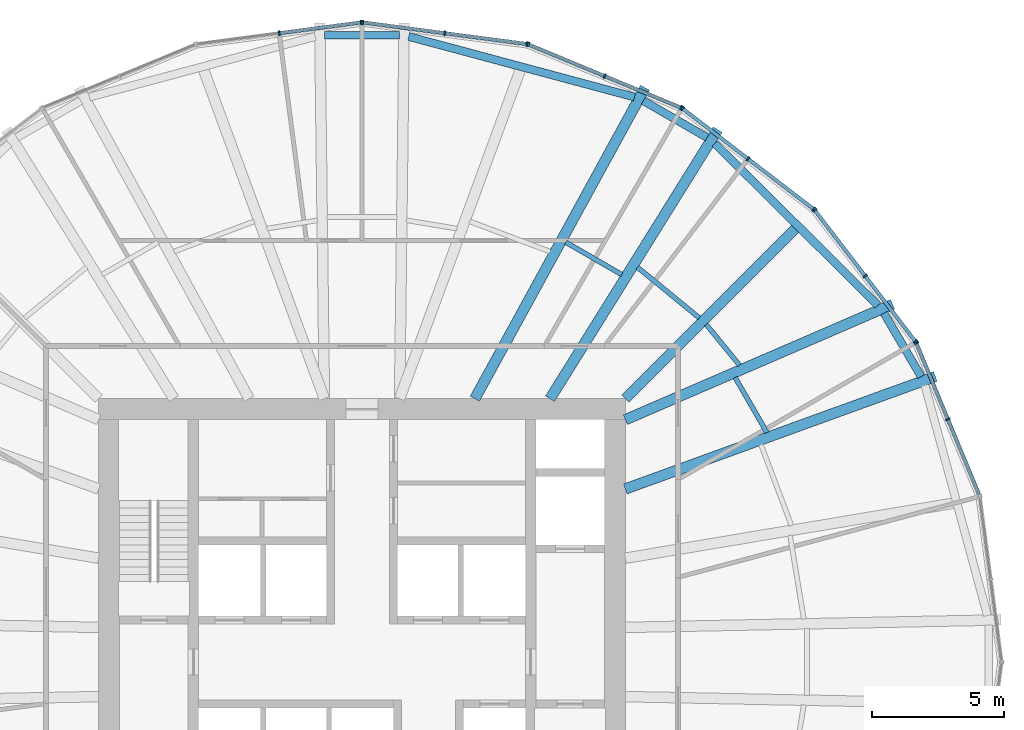
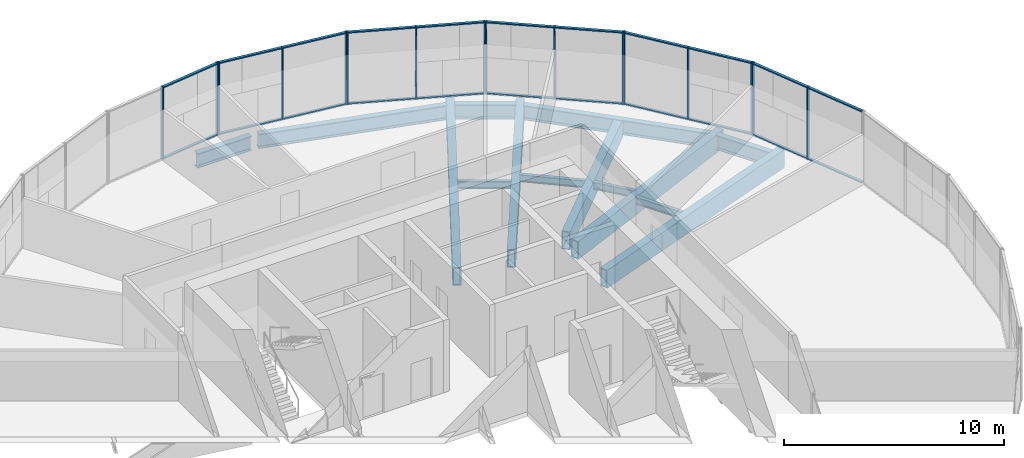
# One storey, part 7 of 13: 38 members, 14 beams, 6 elements without a shape of their own.
"""IFC4 building model written with IfcOpenShell, lengths in metres."""

from ifc_helpers import new_model, si_unit, direction, frame, origin, origin_2d, place, context, subcontext, project, spatial, rectangle, hollow_rectangle, i_section, extrude, material, material_profile, profile_set, type_object, element, aggregate, save


model = new_model("IFC4")

# Units and contexts
model_context = context("Model", 3, precision=1e-05, world=origin(), true_north=direction((0.0, 1.0)))
body_context = subcontext(model_context, "Body", "Model", "MODEL_VIEW")
ifc_project = project(units=[si_unit("LENGTHUNIT", "METRE"), si_unit("AREAUNIT", "SQUARE_METRE"), si_unit("VOLUMEUNIT", "CUBIC_METRE"), si_unit("PLANEANGLEUNIT", "RADIAN"), si_unit("MASSUNIT", "GRAM", prefix="KILO")], contexts=[model_context])

# Site, building, storey
site_placement = place(None, origin())
site = spatial("IfcSite", under=ifc_project, at=site_placement, CompositionType="ELEMENT")
building_placement = place(site_placement, origin())
building = spatial("IfcBuilding", under=site, at=building_placement, Name="Golbaran Civic Tower", CompositionType="ELEMENT")
storey_placement = place(building_placement, frame((0.0, 0.0, 81.0)))
storey = spatial("IfcBuildingStorey", under=building, at=storey_placement, Name="L19", CompositionType="ELEMENT", Elevation=81.0)

# Beams
ifc_material_1 = material(Name="Steel S355", Category="steel")
ifc_material_profile_1 = material_profile(ifc_material_1, i_section(OverallWidth=0.300048828125, OverallDepth=0.800048828125, WebThickness=0.017578125, FlangeThickness=0.032958984375, FilletRadius=0.030029296875, at=origin_2d()), Name="HEB 800")
ifc_profile_set_1 = profile_set([ifc_material_profile_1], Name="Steel S355")
beam_type_1 = type_object("IfcBeamType", Name="EDGE BEAM HEB 800", PredefinedType="BEAM", material=ifc_profile_set_1)
beam_1_placement = place(storey_placement, frame((21.234619140625, 10.838623046875, -0.60009765625), z_axis=(-0.505995527103, 0.862536101593, 0.0), x_axis=(-0.862536101593, -0.505995527103, 0.0)))
element("IfcBeam", 1, at=beam_1_placement, inside=storey, type_object=beam_type_1, Name="Edge beam 26.30 L19", PredefinedType="BEAM", context=body_context, shape_type="SweptSolid", body=[
    extrude(i_section(OverallWidth=0.300048828125, OverallDepth=0.800048828125, WebThickness=0.017578125, FlangeThickness=0.032958984375, FilletRadius=0.030029296875, at=origin_2d()), origin(), (0.0, 0.0, 1.0), 2.791748046875),
])
beam_2_placement = place(storey_placement, frame((19.5927734375, 13.53955078125, -0.60009765625), z_axis=(-0.70960352002, 0.704601195269, 0.0), x_axis=(-0.704601195269, -0.70960352002, 0.0)))
element("IfcBeam", 2, at=beam_2_placement, inside=storey, type_object=beam_type_1, Name="Edge beam 33.70 L19", PredefinedType="BEAM", context=body_context, shape_type="SweptSolid", body=[
    extrude(i_section(OverallWidth=0.300048828125, OverallDepth=0.800048828125, WebThickness=0.017578125, FlangeThickness=0.032958984375, FilletRadius=0.030029296875, at=origin_2d()), origin(), (0.0, 0.0, 1.0), 8.736083984375),
])
beam_3_placement = place(storey_placement, frame((13.1064453125, 19.9150390625, -0.60009765625), z_axis=(-0.866130378223, 0.499818134844, 0.0), x_axis=(-0.499818134844, -0.866130378223, 0.0)))
element("IfcBeam", 3, at=beam_3_placement, inside=storey, type_object=beam_type_1, Name="Edge beam 56.30 L19", PredefinedType="BEAM", context=body_context, shape_type="SweptSolid", body=[
    extrude(i_section(OverallWidth=0.300048828125, OverallDepth=0.800048828125, WebThickness=0.017578125, FlangeThickness=0.032958984375, FilletRadius=0.030029296875, at=origin_2d()), origin(), (0.0, 0.0, 1.0), 2.7978515625),
])
beam_4_placement = place(storey_placement, frame((10.34814453125, 21.451416015625, -0.60009765625), z_axis=(-0.965861810463, 0.259057837344, 0.0), x_axis=(-0.259057837344, -0.965861810463, 0.0)))
element("IfcBeam", 4, at=beam_4_placement, inside=storey, type_object=beam_type_1, Name="Edge beam 63.70 L19", PredefinedType="BEAM", context=body_context, shape_type="SweptSolid", body=[
    extrude(i_section(OverallWidth=0.300048828125, OverallDepth=0.800048828125, WebThickness=0.017578125, FlangeThickness=0.032958984375, FilletRadius=0.030029296875, at=origin_2d()), origin(), (0.0, 0.0, 1.0), 8.874755859375),
])
beam_5_placement = place(storey_placement, frame((1.4169921875, 23.798583984375, -0.60009765625), z_axis=(-1.0, 0.0, 0.0), x_axis=(0.0, -1.0, 0.0)))
element("IfcBeam", 5, at=beam_5_placement, inside=storey, type_object=beam_type_1, Name="Edge beam 86.30 L19", PredefinedType="BEAM", context=body_context, shape_type="SweptSolid", body=[
    extrude(i_section(OverallWidth=0.300048828125, OverallDepth=0.800048828125, WebThickness=0.017578125, FlangeThickness=0.032958984375, FilletRadius=0.030029296875, at=origin_2d()), origin(), (0.0, 0.0, 1.0), 2.833984375),
])
ifc_material_profile_2 = material_profile(ifc_material_1, i_section(OverallWidth=0.179931640625, OverallDepth=0.39990234375, WebThickness=0.008544921875, FlangeThickness=0.013427734375, FilletRadius=0.02099609375, at=origin_2d()), Name="IPE 400")
ifc_profile_set_2 = profile_set([ifc_material_profile_2], Name="Steel S355")
beam_type_2 = type_object("IfcBeamType", Name="FLOOR INFILL BEAM IPE 400", PredefinedType="BEAM", material=ifc_profile_set_2)
beam_6_placement = place(storey_placement, frame((15.377197265625, 8.713623046875, -0.39990234375), z_axis=(-0.500031663174, 0.866007122271, 0.0), x_axis=(-0.866007122271, -0.500031663174, 0.0)))
element("IfcBeam", 6, at=beam_6_placement, inside=storey, type_object=beam_type_2, Name="Infill beam 30.00 L19", PredefinedType="BEAM", context=body_context, shape_type="SweptSolid", body=[
    extrude(i_section(OverallWidth=0.179931640625, OverallDepth=0.39990234375, WebThickness=0.008544921875, FlangeThickness=0.013427734375, FilletRadius=0.02099609375, at=origin_2d()), origin(), (0.0, 0.0, 1.0), 2.414794921875),
])
beam_7_placement = place(storey_placement, frame((14.33837890625, 11.27001953125, -0.39990234375), z_axis=(-0.634002188449, 0.77333125182, 0.0), x_axis=(-0.77333125182, -0.634002188449, 0.0)))
element("IfcBeam", 7, at=beam_7_placement, inside=storey, type_object=beam_type_2, Name="Infill beam 39.35 L19", PredefinedType="BEAM", context=body_context, shape_type="SweptSolid", body=[
    extrude(i_section(OverallWidth=0.179931640625, OverallDepth=0.39990234375, WebThickness=0.008544921875, FlangeThickness=0.013427734375, FilletRadius=0.02099609375, at=origin_2d()), origin(), (0.0, 0.0, 1.0), 1.999267578125),
])
beam_8_placement = place(storey_placement, frame((12.810302734375, 13.06494140625, -0.39990234375), z_axis=(-0.773311950951, 0.634025730169, 0.0), x_axis=(-0.634025730169, -0.773311950951, 0.0)))
element("IfcBeam", 8, at=beam_8_placement, inside=storey, type_object=beam_type_2, Name="Infill beam 50.65 L19", PredefinedType="BEAM", context=body_context, shape_type="SweptSolid", body=[
    extrude(i_section(OverallWidth=0.179931640625, OverallDepth=0.39990234375, WebThickness=0.008544921875, FlangeThickness=0.013427734375, FilletRadius=0.02099609375, at=origin_2d()), origin(), (0.0, 0.0, 1.0), 3.035888671875),
])
beam_9_placement = place(storey_placement, frame((9.865478515625, 14.711669921875, -0.39990234375), z_axis=(-0.866029801145, 0.49999238347, 0.0), x_axis=(-0.49999238347, -0.866029801145, 0.0)))
element("IfcBeam", 9, at=beam_9_placement, inside=storey, type_object=beam_type_2, Name="Infill beam 60.00 L19", PredefinedType="BEAM", context=body_context, shape_type="SweptSolid", body=[
    extrude(i_section(OverallWidth=0.179931640625, OverallDepth=0.39990234375, WebThickness=0.008544921875, FlangeThickness=0.013427734375, FilletRadius=0.02099609375, at=origin_2d()), origin(), (0.0, 0.0, 1.0), 2.453125),
])

# Curtain wall, members
ifc_material_2 = material(Name="Aluminium and glass", Category="aluminium")
curtain_wall_type = type_object("IfcCurtainWallType", Name="INNER SKIN CURTAIN WALL", PredefinedType="NOTDEFINED", material=ifc_material_2)
curtain_wall_1_placement = place(storey_placement, origin())
curtain_wall_1 = element("IfcCurtainWall", 10, at=curtain_wall_1_placement, inside=storey, type_object=curtain_wall_type, Name="Inner skin L19 facet 2 CW1", ObjectType="INNER SKIN", PredefinedType="USERDEFINED")
ifc_material_3 = material(Name="Aluminium", Category="aluminium")
ifc_material_profile_3 = material_profile(ifc_material_3, rectangle(XDim=0.179931640625, YDim=0.06494140625, at=origin_2d()), Name="INNER SKIN CURTAIN WALL MULLION")
ifc_profile_set_3 = profile_set([ifc_material_profile_3], Name="Aluminium")
member_type_1 = type_object("IfcMemberType", Name="INNER SKIN CURTAIN WALL MULLION", PredefinedType="MULLION", material=ifc_profile_set_3)
member_1_placement = place(storey_placement, frame((22.2490234375, 9.2158203125, 0.0), z_axis=(0.0, 0.0, 1.0), x_axis=(-0.923879532478, -0.382683432446, 0.0)))
member_1 = element("IfcMember", 11, at=member_1_placement, type_object=member_type_1, Name="CW1 mullion 2", PredefinedType="MULLION", context=body_context, shape_type="SweptSolid", body=[
    extrude(rectangle(XDim=0.179931640625, YDim=0.06494140625, at=origin_2d()), origin(), (0.0, 0.0, 1.0), 4.0),
])
member_2_placement = place(storey_placement, frame((21.048095703125, 12.114990234375, 0.0), z_axis=(0.0, 0.0, 1.0), x_axis=(-0.923879532478, -0.382683432446, 0.0)))
member_2 = element("IfcMember", 12, at=member_2_placement, type_object=member_type_1, Name="CW1 mullion 3", PredefinedType="MULLION", context=body_context, shape_type="SweptSolid", body=[
    extrude(rectangle(XDim=0.179931640625, YDim=0.06494140625, at=origin_2d()), origin(), (0.0, 0.0, 1.0), 4.0),
])

curtain_wall_2_placement = place(storey_placement, origin())
curtain_wall_2 = element("IfcCurtainWall", 13, at=curtain_wall_2_placement, inside=storey, type_object=curtain_wall_type, Name="Inner skin L19 facet 3 CW1", ObjectType="INNER SKIN", PredefinedType="USERDEFINED")
member_3_placement = place(storey_placement, frame((21.015869140625, 12.1708984375, 0.0), z_axis=(0.0, 0.0, 1.0), x_axis=(-0.793353340281, -0.608761429023, 0.0)))
member_3 = element("IfcMember", 14, at=member_3_placement, type_object=member_type_1, Name="CW1 mullion 1", PredefinedType="MULLION", context=body_context, shape_type="SweptSolid", body=[
    extrude(rectangle(XDim=0.179931640625, YDim=0.06494140625, at=origin_2d()), origin(), (0.0, 0.0, 1.0), 4.0),
])
member_4_placement = place(storey_placement, frame((19.105712890625, 14.660400390625, 0.0), z_axis=(0.0, 0.0, 1.0), x_axis=(-0.793353340281, -0.608761429023, 0.0)))
member_4 = element("IfcMember", 15, at=member_4_placement, type_object=member_type_1, Name="CW1 mullion 2", PredefinedType="MULLION", context=body_context, shape_type="SweptSolid", body=[
    extrude(rectangle(XDim=0.179931640625, YDim=0.06494140625, at=origin_2d()), origin(), (0.0, 0.0, 1.0), 4.0),
])
member_5_placement = place(storey_placement, frame((17.1953125, 17.14990234375, 0.0), z_axis=(0.0, 0.0, 1.0), x_axis=(-0.793353340281, -0.608761429023, 0.0)))
member_5 = element("IfcMember", 16, at=member_5_placement, type_object=member_type_1, Name="CW1 mullion 3", PredefinedType="MULLION", context=body_context, shape_type="SweptSolid", body=[
    extrude(rectangle(XDim=0.179931640625, YDim=0.06494140625, at=origin_2d()), origin(), (0.0, 0.0, 1.0), 4.0),
])

curtain_wall_3_placement = place(storey_placement, origin())
curtain_wall_3 = element("IfcCurtainWall", 17, at=curtain_wall_3_placement, inside=storey, type_object=curtain_wall_type, Name="Inner skin L19 facet 4 CW1", ObjectType="INNER SKIN", PredefinedType="USERDEFINED")
member_6_placement = place(storey_placement, frame((17.14990234375, 17.1953125, 0.0), z_axis=(0.0, 0.0, 1.0), x_axis=(-0.608761429023, -0.793353340281, 0.0)))
member_6 = element("IfcMember", 18, at=member_6_placement, type_object=member_type_1, Name="CW1 mullion 1", PredefinedType="MULLION", context=body_context, shape_type="SweptSolid", body=[
    extrude(rectangle(XDim=0.179931640625, YDim=0.06494140625, at=origin_2d()), origin(), (0.0, 0.0, 1.0), 4.0),
])
member_7_placement = place(storey_placement, frame((14.660400390625, 19.105712890625, 0.0), z_axis=(0.0, 0.0, 1.0), x_axis=(-0.608761429023, -0.793353340281, 0.0)))
member_7 = element("IfcMember", 19, at=member_7_placement, type_object=member_type_1, Name="CW1 mullion 2", PredefinedType="MULLION", context=body_context, shape_type="SweptSolid", body=[
    extrude(rectangle(XDim=0.179931640625, YDim=0.06494140625, at=origin_2d()), origin(), (0.0, 0.0, 1.0), 4.0),
])
member_8_placement = place(storey_placement, frame((12.1708984375, 21.015869140625, 0.0), z_axis=(0.0, 0.0, 1.0), x_axis=(-0.608761429023, -0.793353340281, 0.0)))
member_8 = element("IfcMember", 20, at=member_8_placement, type_object=member_type_1, Name="CW1 mullion 3", PredefinedType="MULLION", context=body_context, shape_type="SweptSolid", body=[
    extrude(rectangle(XDim=0.179931640625, YDim=0.06494140625, at=origin_2d()), origin(), (0.0, 0.0, 1.0), 4.0),
])

curtain_wall_4_placement = place(storey_placement, origin())
curtain_wall_4 = element("IfcCurtainWall", 21, at=curtain_wall_4_placement, inside=storey, type_object=curtain_wall_type, Name="Inner skin L19 facet 5 CW1", ObjectType="INNER SKIN", PredefinedType="USERDEFINED")
member_9_placement = place(storey_placement, frame((12.114990234375, 21.048095703125, 0.0), z_axis=(0.0, 0.0, 1.0), x_axis=(-0.382683432446, -0.923879532478, 0.0)))
member_9 = element("IfcMember", 22, at=member_9_placement, type_object=member_type_1, Name="CW1 mullion 1", PredefinedType="MULLION", context=body_context, shape_type="SweptSolid", body=[
    extrude(rectangle(XDim=0.179931640625, YDim=0.06494140625, at=origin_2d()), origin(), (0.0, 0.0, 1.0), 4.0),
])
member_10_placement = place(storey_placement, frame((9.2158203125, 22.2490234375, 0.0), z_axis=(0.0, 0.0, 1.0), x_axis=(-0.382683432446, -0.923879532478, 0.0)))
member_10 = element("IfcMember", 23, at=member_10_placement, type_object=member_type_1, Name="CW1 mullion 2", PredefinedType="MULLION", context=body_context, shape_type="SweptSolid", body=[
    extrude(rectangle(XDim=0.179931640625, YDim=0.06494140625, at=origin_2d()), origin(), (0.0, 0.0, 1.0), 4.0),
])
member_11_placement = place(storey_placement, frame((6.316650390625, 23.449951171875, 0.0), z_axis=(0.0, 0.0, 1.0), x_axis=(-0.382683432446, -0.923879532478, 0.0)))
member_11 = element("IfcMember", 24, at=member_11_placement, type_object=member_type_1, Name="CW1 mullion 3", PredefinedType="MULLION", context=body_context, shape_type="SweptSolid", body=[
    extrude(rectangle(XDim=0.179931640625, YDim=0.06494140625, at=origin_2d()), origin(), (0.0, 0.0, 1.0), 4.0),
])

curtain_wall_5_placement = place(storey_placement, origin())
curtain_wall_5 = element("IfcCurtainWall", 25, at=curtain_wall_5_placement, inside=storey, type_object=curtain_wall_type, Name="Inner skin L19 facet 6 CW1", ObjectType="INNER SKIN", PredefinedType="USERDEFINED")
member_12_placement = place(storey_placement, frame((6.25439453125, 23.466552734375, 0.0), z_axis=(0.0, 0.0, 1.0), x_axis=(-0.130526192151, -0.991444861383, 0.0)))
member_12 = element("IfcMember", 26, at=member_12_placement, type_object=member_type_1, Name="CW1 mullion 1", PredefinedType="MULLION", context=body_context, shape_type="SweptSolid", body=[
    extrude(rectangle(XDim=0.179931640625, YDim=0.06494140625, at=origin_2d()), origin(), (0.0, 0.0, 1.0), 4.0),
])
member_13_placement = place(storey_placement, frame((3.143310546875, 23.876220703125, 0.0), z_axis=(0.0, 0.0, 1.0), x_axis=(-0.130526192151, -0.991444861383, 0.0)))
member_13 = element("IfcMember", 27, at=member_13_placement, type_object=member_type_1, Name="CW1 mullion 2", PredefinedType="MULLION", context=body_context, shape_type="SweptSolid", body=[
    extrude(rectangle(XDim=0.179931640625, YDim=0.06494140625, at=origin_2d()), origin(), (0.0, 0.0, 1.0), 4.0),
])
member_14_placement = place(storey_placement, frame((0.0322265625, 24.28564453125, 0.0), z_axis=(0.0, 0.0, 1.0), x_axis=(-0.130526192151, -0.991444861383, 0.0)))
member_14 = element("IfcMember", 28, at=member_14_placement, type_object=member_type_1, Name="CW1 mullion 3", PredefinedType="MULLION", context=body_context, shape_type="SweptSolid", body=[
    extrude(rectangle(XDim=0.179931640625, YDim=0.06494140625, at=origin_2d()), origin(), (0.0, 0.0, 1.0), 4.0),
])

curtain_wall_6_placement = place(storey_placement, origin())
curtain_wall_6 = element("IfcCurtainWall", 29, at=curtain_wall_6_placement, inside=storey, type_object=curtain_wall_type, Name="Inner skin L19 facet 7 CW1", ObjectType="INNER SKIN", PredefinedType="USERDEFINED")
member_15_placement = place(storey_placement, frame((-0.0322265625, 24.28564453125, 0.0), z_axis=(0.0, 0.0, 1.0), x_axis=(0.130526192151, -0.991444861383, 0.0)))
member_15 = element("IfcMember", 30, at=member_15_placement, type_object=member_type_1, Name="CW1 mullion 1", PredefinedType="MULLION", context=body_context, shape_type="SweptSolid", body=[
    extrude(rectangle(XDim=0.179931640625, YDim=0.06494140625, at=origin_2d()), origin(), (0.0, 0.0, 1.0), 4.0),
])
member_16_placement = place(storey_placement, frame((-3.143310546875, 23.876220703125, 0.0), z_axis=(0.0, 0.0, 1.0), x_axis=(0.130526192151, -0.991444861383, 0.0)))
member_16 = element("IfcMember", 31, at=member_16_placement, type_object=member_type_1, Name="CW1 mullion 2", PredefinedType="MULLION", context=body_context, shape_type="SweptSolid", body=[
    extrude(rectangle(XDim=0.179931640625, YDim=0.06494140625, at=origin_2d()), origin(), (0.0, 0.0, 1.0), 4.0),
])

# Member
ifc_material_profile_4 = material_profile(ifc_material_3, rectangle(XDim=0.139892578125, YDim=0.06494140625, at=origin_2d()), Name="INNER SKIN CURTAIN WALL TRANSOM")
ifc_profile_set_4 = profile_set([ifc_material_profile_4], Name="Aluminium")
member_type_2 = type_object("IfcMemberType", Name="INNER SKIN CURTAIN WALL TRANSOM", PredefinedType="USERDEFINED", material=ifc_profile_set_4)
member_17_placement = place(storey_placement, frame((23.4375, 6.3466796875, 0.032470703125), z_axis=(-0.382690924362, 0.923876429189, 0.0), x_axis=(-0.923876429189, -0.382690924362, 0.0)))
member_17 = element("IfcMember", 32, at=member_17_placement, type_object=member_type_2, Name="CW1 transom 1.1", ObjectType="TRANSOM", PredefinedType="USERDEFINED", context=body_context, shape_type="SweptSolid", body=[
    extrude(rectangle(XDim=0.139892578125, YDim=0.06494140625, at=origin_2d()), origin(), (0.0, 0.0, 1.0), 3.072998046875),
])

member_18_placement = place(storey_placement, frame((23.4375, 6.3466796875, 3.967529296875), z_axis=(-0.382690924362, 0.923876429189, 0.0), x_axis=(-0.923876429189, -0.382690924362, 0.0)))
member_18 = element("IfcMember", 33, at=member_18_placement, type_object=member_type_2, Name="CW1 transom 1.2", ObjectType="TRANSOM", PredefinedType="USERDEFINED", context=body_context, shape_type="SweptSolid", body=[
    extrude(rectangle(XDim=0.139892578125, YDim=0.06494140625, at=origin_2d()), origin(), (0.0, 0.0, 1.0), 3.072998046875),
])

member_19_placement = place(storey_placement, frame((22.236572265625, 9.245849609375, 0.032470703125), z_axis=(-0.382690924362, 0.923876429189, 0.0), x_axis=(-0.923876429189, -0.382690924362, 0.0)))
member_19 = element("IfcMember", 34, at=member_19_placement, type_object=member_type_2, Name="CW1 transom 2.1", ObjectType="TRANSOM", PredefinedType="USERDEFINED", context=body_context, shape_type="SweptSolid", body=[
    extrude(rectangle(XDim=0.139892578125, YDim=0.06494140625, at=origin_2d()), origin(), (0.0, 0.0, 1.0), 3.072998046875),
])

member_20_placement = place(storey_placement, frame((22.236572265625, 9.245849609375, 3.967529296875), z_axis=(-0.382690924362, 0.923876429189, 0.0), x_axis=(-0.923876429189, -0.382690924362, 0.0)))
member_20 = element("IfcMember", 35, at=member_20_placement, type_object=member_type_2, Name="CW1 transom 2.2", ObjectType="TRANSOM", PredefinedType="USERDEFINED", context=body_context, shape_type="SweptSolid", body=[
    extrude(rectangle(XDim=0.139892578125, YDim=0.06494140625, at=origin_2d()), origin(), (0.0, 0.0, 1.0), 3.072998046875),
])

aggregate(curtain_wall_1, [member_1, member_2, member_17, member_18, member_19, member_20])

member_21_placement = place(storey_placement, frame((20.99609375, 12.196533203125, 0.032470703125), z_axis=(-0.608735060571, 0.793373572809, 0.0), x_axis=(-0.793373572809, -0.608735060571, 0.0)))
member_21 = element("IfcMember", 36, at=member_21_placement, type_object=member_type_2, Name="CW1 transom 1.1", ObjectType="TRANSOM", PredefinedType="USERDEFINED", context=body_context, shape_type="SweptSolid", body=[
    extrude(rectangle(XDim=0.139892578125, YDim=0.06494140625, at=origin_2d()), origin(), (0.0, 0.0, 1.0), 3.072998046875),
])

member_22_placement = place(storey_placement, frame((20.99609375, 12.196533203125, 3.967529296875), z_axis=(-0.608735060571, 0.793373572809, 0.0), x_axis=(-0.793373572809, -0.608735060571, 0.0)))
member_22 = element("IfcMember", 37, at=member_22_placement, type_object=member_type_2, Name="CW1 transom 1.2", ObjectType="TRANSOM", PredefinedType="USERDEFINED", context=body_context, shape_type="SweptSolid", body=[
    extrude(rectangle(XDim=0.139892578125, YDim=0.06494140625, at=origin_2d()), origin(), (0.0, 0.0, 1.0), 3.072998046875),
])

member_23_placement = place(storey_placement, frame((19.0859375, 14.68603515625, 0.032470703125), z_axis=(-0.60878506519, 0.793335203052, 0.0), x_axis=(-0.793335203052, -0.60878506519, 0.0)))
member_23 = element("IfcMember", 38, at=member_23_placement, type_object=member_type_2, Name="CW1 transom 2.1", ObjectType="TRANSOM", PredefinedType="USERDEFINED", context=body_context, shape_type="SweptSolid", body=[
    extrude(rectangle(XDim=0.139892578125, YDim=0.06494140625, at=origin_2d()), origin(), (0.0, 0.0, 1.0), 3.072998046875),
])

member_24_placement = place(storey_placement, frame((19.0859375, 14.68603515625, 3.967529296875), z_axis=(-0.60878506519, 0.793335203052, 0.0), x_axis=(-0.793335203052, -0.60878506519, 0.0)))
member_24 = element("IfcMember", 39, at=member_24_placement, type_object=member_type_2, Name="CW1 transom 2.2", ObjectType="TRANSOM", PredefinedType="USERDEFINED", context=body_context, shape_type="SweptSolid", body=[
    extrude(rectangle(XDim=0.139892578125, YDim=0.06494140625, at=origin_2d()), origin(), (0.0, 0.0, 1.0), 3.072998046875),
])

aggregate(curtain_wall_2, [member_3, member_4, member_5, member_21, member_22, member_23, member_24])

member_25_placement = place(storey_placement, frame((17.1240234375, 17.215087890625, 0.032470703125), z_axis=(-0.793335203052, 0.60878506519, 0.0), x_axis=(-0.60878506519, -0.793335203052, 0.0)))
member_25 = element("IfcMember", 40, at=member_25_placement, type_object=member_type_2, Name="CW1 transom 1.1", ObjectType="TRANSOM", PredefinedType="USERDEFINED", context=body_context, shape_type="SweptSolid", body=[
    extrude(rectangle(XDim=0.139892578125, YDim=0.06494140625, at=origin_2d()), origin(), (0.0, 0.0, 1.0), 3.072998046875),
])

member_26_placement = place(storey_placement, frame((17.1240234375, 17.215087890625, 3.967529296875), z_axis=(-0.793335203052, 0.60878506519, 0.0), x_axis=(-0.60878506519, -0.793335203052, 0.0)))
member_26 = element("IfcMember", 41, at=member_26_placement, type_object=member_type_2, Name="CW1 transom 1.2", ObjectType="TRANSOM", PredefinedType="USERDEFINED", context=body_context, shape_type="SweptSolid", body=[
    extrude(rectangle(XDim=0.139892578125, YDim=0.06494140625, at=origin_2d()), origin(), (0.0, 0.0, 1.0), 3.072998046875),
])

member_27_placement = place(storey_placement, frame((14.634521484375, 19.12548828125, 0.032470703125), z_axis=(-0.793373572809, 0.608735060571, 0.0), x_axis=(-0.608735060571, -0.793373572809, 0.0)))
member_27 = element("IfcMember", 42, at=member_27_placement, type_object=member_type_2, Name="CW1 transom 2.1", ObjectType="TRANSOM", PredefinedType="USERDEFINED", context=body_context, shape_type="SweptSolid", body=[
    extrude(rectangle(XDim=0.139892578125, YDim=0.06494140625, at=origin_2d()), origin(), (0.0, 0.0, 1.0), 3.072998046875),
])

member_28_placement = place(storey_placement, frame((14.634521484375, 19.12548828125, 3.967529296875), z_axis=(-0.793373572809, 0.608735060571, 0.0), x_axis=(-0.608735060571, -0.793373572809, 0.0)))
member_28 = element("IfcMember", 43, at=member_28_placement, type_object=member_type_2, Name="CW1 transom 2.2", ObjectType="TRANSOM", PredefinedType="USERDEFINED", context=body_context, shape_type="SweptSolid", body=[
    extrude(rectangle(XDim=0.139892578125, YDim=0.06494140625, at=origin_2d()), origin(), (0.0, 0.0, 1.0), 3.072998046875),
])

aggregate(curtain_wall_3, [member_6, member_7, member_8, member_25, member_26, member_27, member_28])

member_29_placement = place(storey_placement, frame((12.0849609375, 21.060546875, 0.032470703125), z_axis=(-0.923876429189, 0.382690924362, 0.0), x_axis=(-0.382690924362, -0.923876429189, 0.0)))
member_29 = element("IfcMember", 44, at=member_29_placement, type_object=member_type_2, Name="CW1 transom 1.1", ObjectType="TRANSOM", PredefinedType="USERDEFINED", context=body_context, shape_type="SweptSolid", body=[
    extrude(rectangle(XDim=0.139892578125, YDim=0.06494140625, at=origin_2d()), origin(), (0.0, 0.0, 1.0), 3.072998046875),
])

member_30_placement = place(storey_placement, frame((12.0849609375, 21.060546875, 3.967529296875), z_axis=(-0.923876429189, 0.382690924362, 0.0), x_axis=(-0.382690924362, -0.923876429189, 0.0)))
member_30 = element("IfcMember", 45, at=member_30_placement, type_object=member_type_2, Name="CW1 transom 1.2", ObjectType="TRANSOM", PredefinedType="USERDEFINED", context=body_context, shape_type="SweptSolid", body=[
    extrude(rectangle(XDim=0.139892578125, YDim=0.06494140625, at=origin_2d()), origin(), (0.0, 0.0, 1.0), 3.072998046875),
])

member_31_placement = place(storey_placement, frame((9.185791015625, 22.261474609375, 0.032470703125), z_axis=(-0.923876429189, 0.382690924362, 0.0), x_axis=(-0.382690924362, -0.923876429189, 0.0)))
member_31 = element("IfcMember", 46, at=member_31_placement, type_object=member_type_2, Name="CW1 transom 2.1", ObjectType="TRANSOM", PredefinedType="USERDEFINED", context=body_context, shape_type="SweptSolid", body=[
    extrude(rectangle(XDim=0.139892578125, YDim=0.06494140625, at=origin_2d()), origin(), (0.0, 0.0, 1.0), 3.072998046875),
])

member_32_placement = place(storey_placement, frame((9.185791015625, 22.261474609375, 3.967529296875), z_axis=(-0.923876429189, 0.382690924362, 0.0), x_axis=(-0.382690924362, -0.923876429189, 0.0)))
member_32 = element("IfcMember", 47, at=member_32_placement, type_object=member_type_2, Name="CW1 transom 2.2", ObjectType="TRANSOM", PredefinedType="USERDEFINED", context=body_context, shape_type="SweptSolid", body=[
    extrude(rectangle(XDim=0.139892578125, YDim=0.06494140625, at=origin_2d()), origin(), (0.0, 0.0, 1.0), 3.072998046875),
])

aggregate(curtain_wall_4, [member_9, member_10, member_11, member_29, member_30, member_31, member_32])

member_33_placement = place(storey_placement, frame((6.22216796875, 23.470703125, 0.032470703125), z_axis=(-0.991443745979, 0.130534664207, 0.0), x_axis=(-0.130534664207, -0.991443745979, 0.0)))
member_33 = element("IfcMember", 48, at=member_33_placement, type_object=member_type_2, Name="CW1 transom 1.1", ObjectType="TRANSOM", PredefinedType="USERDEFINED", context=body_context, shape_type="SweptSolid", body=[
    extrude(rectangle(XDim=0.139892578125, YDim=0.06494140625, at=origin_2d()), origin(), (0.0, 0.0, 1.0), 3.072998046875),
])

member_34_placement = place(storey_placement, frame((6.22216796875, 23.470703125, 3.967529296875), z_axis=(-0.991443745979, 0.130534664207, 0.0), x_axis=(-0.130534664207, -0.991443745979, 0.0)))
member_34 = element("IfcMember", 49, at=member_34_placement, type_object=member_type_2, Name="CW1 transom 1.2", ObjectType="TRANSOM", PredefinedType="USERDEFINED", context=body_context, shape_type="SweptSolid", body=[
    extrude(rectangle(XDim=0.139892578125, YDim=0.06494140625, at=origin_2d()), origin(), (0.0, 0.0, 1.0), 3.072998046875),
])

member_35_placement = place(storey_placement, frame((3.111083984375, 23.88037109375, 0.032470703125), z_axis=(-0.991443745979, 0.130534664207, 0.0), x_axis=(-0.130534664207, -0.991443745979, 0.0)))
member_35 = element("IfcMember", 50, at=member_35_placement, type_object=member_type_2, Name="CW1 transom 2.1", ObjectType="TRANSOM", PredefinedType="USERDEFINED", context=body_context, shape_type="SweptSolid", body=[
    extrude(rectangle(XDim=0.139892578125, YDim=0.06494140625, at=origin_2d()), origin(), (0.0, 0.0, 1.0), 3.072998046875),
])

member_36_placement = place(storey_placement, frame((3.111083984375, 23.88037109375, 3.967529296875), z_axis=(-0.991443745979, 0.130534664207, 0.0), x_axis=(-0.130534664207, -0.991443745979, 0.0)))
member_36 = element("IfcMember", 51, at=member_36_placement, type_object=member_type_2, Name="CW1 transom 2.2", ObjectType="TRANSOM", PredefinedType="USERDEFINED", context=body_context, shape_type="SweptSolid", body=[
    extrude(rectangle(XDim=0.139892578125, YDim=0.06494140625, at=origin_2d()), origin(), (0.0, 0.0, 1.0), 3.072998046875),
])

aggregate(curtain_wall_5, [member_12, member_13, member_14, member_33, member_34, member_35, member_36])

member_37_placement = place(storey_placement, frame((-0.064453125, 24.281494140625, 0.032470703125), z_axis=(-0.991443745979, -0.130534664207, 0.0), x_axis=(0.130534664207, -0.991443745979, 0.0)))
member_37 = element("IfcMember", 52, at=member_37_placement, type_object=member_type_2, Name="CW1 transom 1.1", ObjectType="TRANSOM", PredefinedType="USERDEFINED", context=body_context, shape_type="SweptSolid", body=[
    extrude(rectangle(XDim=0.139892578125, YDim=0.06494140625, at=origin_2d()), origin(), (0.0, 0.0, 1.0), 3.072998046875),
])

member_38_placement = place(storey_placement, frame((-0.064453125, 24.281494140625, 3.967529296875), z_axis=(-0.991443745979, -0.130534664207, 0.0), x_axis=(0.130534664207, -0.991443745979, 0.0)))
member_38 = element("IfcMember", 53, at=member_38_placement, type_object=member_type_2, Name="CW1 transom 1.2", ObjectType="TRANSOM", PredefinedType="USERDEFINED", context=body_context, shape_type="SweptSolid", body=[
    extrude(rectangle(XDim=0.139892578125, YDim=0.06494140625, at=origin_2d()), origin(), (0.0, 0.0, 1.0), 3.072998046875),
])

aggregate(curtain_wall_6, [member_15, member_16, member_37, member_38])

# Beams
ifc_material_profile_5 = material_profile(ifc_material_1, hollow_rectangle(XDim=0.39990234375, YDim=1.0, WallThickness=0.050048828125, at=origin_2d()), Name="BOX 1000x400x50")
ifc_profile_set_5 = profile_set([ifc_material_profile_5], Name="Steel S355")
beam_type_3 = type_object("IfcBeamType", Name="RADIAL FLOOR BEAM BOX 1000x400x50", PredefinedType="BEAM", material=ifc_profile_set_5)
beam_10_placement = place(storey_placement, frame((10.0, 6.571533203125, -0.7099609375), z_axis=(0.940054931233, 0.34102305826, 0.0), x_axis=(-0.34102305826, 0.940054931233, 0.0)))
element("IfcBeam", 54, at=beam_10_placement, inside=storey, type_object=beam_type_3, Name="Radial beam 26.30 L19", PredefinedType="BEAM", context=body_context, shape_type="SweptSolid", body=[
    extrude(hollow_rectangle(XDim=0.39990234375, YDim=1.0, WallThickness=0.050048828125, at=origin_2d()), origin(), (0.0, 0.0, 1.0), 12.525390625),
])
beam_11_placement = place(storey_placement, frame((10.0, 9.199951171875, -0.7099609375), z_axis=(0.918014134051, 0.396547663821, 0.0), x_axis=(-0.396547663821, 0.918014134051, 0.0)))
element("IfcBeam", 55, at=beam_11_placement, inside=storey, type_object=beam_type_3, Name="Radial beam 33.70 L19", PredefinedType="BEAM", context=body_context, shape_type="SweptSolid", body=[
    extrude(hollow_rectangle(XDim=0.39990234375, YDim=1.0, WallThickness=0.050048828125, at=origin_2d()), origin(), (0.0, 0.0, 1.0), 11.057861328125),
])
beam_12_placement = place(storey_placement, frame((7.142822265625, 10.0, -0.7099609375), z_axis=(0.528687505514, 0.848816541729, 0.0), x_axis=(-0.848816541729, 0.528687505514, 0.0)))
element("IfcBeam", 56, at=beam_12_placement, inside=storey, type_object=beam_type_3, Name="Radial beam 56.30 L19", PredefinedType="BEAM", context=body_context, shape_type="SweptSolid", body=[
    extrude(hollow_rectangle(XDim=0.39990234375, YDim=1.0, WallThickness=0.050048828125, at=origin_2d()), origin(), (0.0, 0.0, 1.0), 12.037353515625),
])
beam_13_placement = place(storey_placement, frame((4.28564453125, 10.0, -0.7099609375), z_axis=(0.480115960165, 0.877205030078, 0.0), x_axis=(-0.877205030078, 0.480115960165, 0.0)))
element("IfcBeam", 57, at=beam_13_placement, inside=storey, type_object=beam_type_3, Name="Radial beam 63.70 L19", PredefinedType="BEAM", context=body_context, shape_type="SweptSolid", body=[
    extrude(hollow_rectangle(XDim=0.39990234375, YDim=1.0, WallThickness=0.050048828125, at=origin_2d()), origin(), (0.0, 0.0, 1.0), 13.461669921875),
])
ifc_material_profile_6 = material_profile(ifc_material_1, hollow_rectangle(XDim=0.39990234375, YDim=1.0, WallThickness=0.0400390625, at=origin_2d()), Name="BOX 1000x400x40")
ifc_profile_set_6 = profile_set([ifc_material_profile_6], Name="Steel S355")
beam_type_4 = type_object("IfcBeamType", Name="SECONDARY FLOOR BEAM BOX 1000x400x40", PredefinedType="BEAM", material=ifc_profile_set_6)
beam_14_placement = place(storey_placement, frame((10.0, 10.0, -0.7099609375), z_axis=(0.707106781187, 0.707106781187, 0.0), x_axis=(-0.707106781187, 0.707106781187, 0.0)))
element("IfcBeam", 58, at=beam_14_placement, inside=storey, type_object=beam_type_4, Name="Secondary beam 45.00 L19", PredefinedType="BEAM", context=body_context, shape_type="SweptSolid", body=[
    extrude(hollow_rectangle(XDim=0.39990234375, YDim=1.0, WallThickness=0.0400390625, at=origin_2d()), origin(), (0.0, 0.0, 1.0), 9.270751953125),
])

save(model, "model.ifc")
